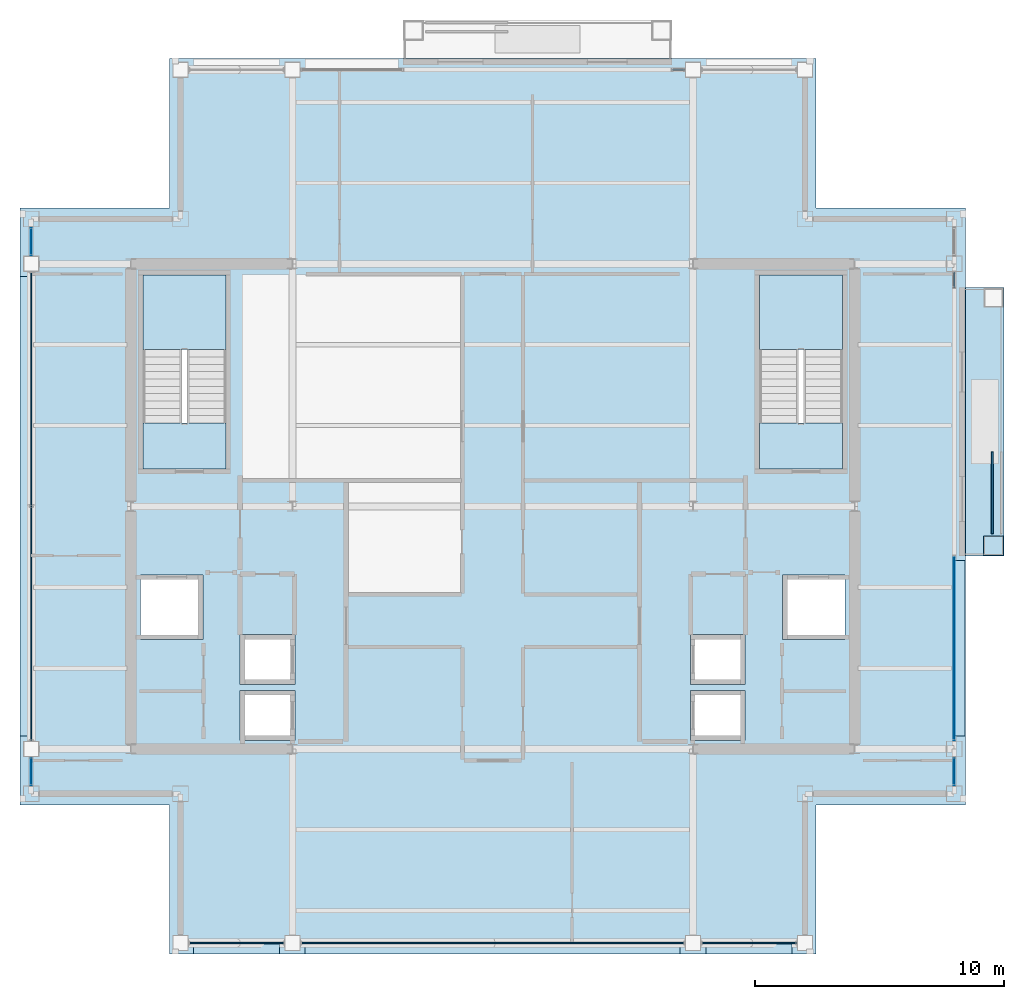
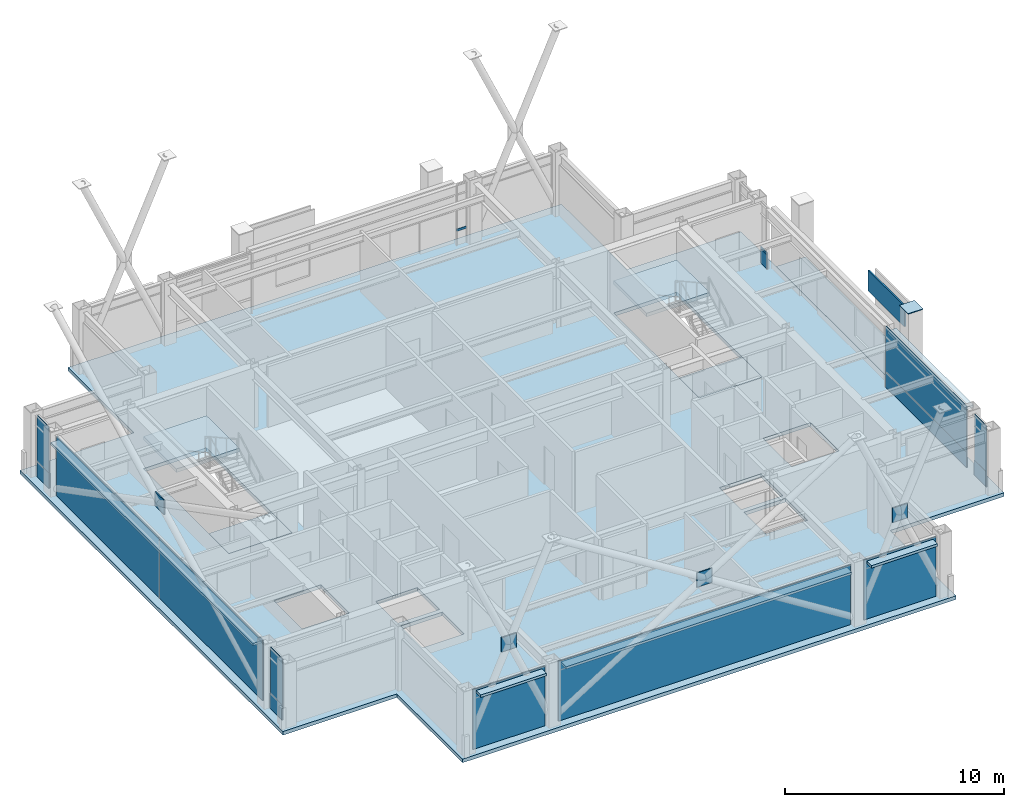
# One storey, part 21 of 28: 25 plates, 6 slabs, 2 members, 12 elements without a shape of their own.
"""IFC4 building model written with IfcOpenShell, lengths in metres."""

from ifc_helpers import new_model, si_unit, direction, frame, origin, origin_2d, place, context, subcontext, project, spatial, polyline, rectangle, hollow_rectangle, outline, extrude, material, layer, layer_set, material_profile, profile_set, type_object, element, aggregate, save


model = new_model("IFC4")

# Units and contexts
model_context = context("Model", 3, precision=1e-05, world=origin(), true_north=direction((0.0, 1.0)))
body_context = subcontext(model_context, "Body", "Model", "MODEL_VIEW")
ifc_project = project(units=[si_unit("LENGTHUNIT", "METRE"), si_unit("AREAUNIT", "SQUARE_METRE"), si_unit("VOLUMEUNIT", "CUBIC_METRE"), si_unit("PLANEANGLEUNIT", "RADIAN"), si_unit("MASSUNIT", "GRAM", prefix="KILO")], contexts=[model_context])

# Site, building, storey
site_placement = place(None, origin())
site = spatial("IfcSite", under=ifc_project, at=site_placement, CompositionType="ELEMENT")
building_placement = place(site_placement, origin())
building = spatial("IfcBuilding", under=site, at=building_placement, Name="Brelmoor Portico Tower", CompositionType="ELEMENT")
storey_placement = place(building_placement, frame((0.0, 0.0, 225.60009765625)))
storey = spatial("IfcBuildingStorey", under=building, at=storey_placement, Name="L59", CompositionType="ELEMENT", Elevation=225.60009765625)

# Curtain wall, member
ifc_material_1 = material(Name="Anodised Aluminium Alloy 6063-T6", Category="aluminium")
ifc_layer_1 = layer(ifc_material_1, 0.179931640625)
ifc_layer_set_1 = layer_set([ifc_layer_1], Name="Anodised Aluminium Alloy 6063-T6")
curtain_wall_type_1 = type_object("IfcCurtainWallType", Name="CW-TOWER-Z4", PredefinedType="NOTDEFINED", material=ifc_layer_set_1)
curtain_wall_1_placement = place(storey_placement, origin())
curtain_wall_1 = element("IfcCurtainWall", 1, at=curtain_wall_1_placement, inside=storey, type_object=curtain_wall_type_1, Name="L59 Curtain Wall CW-L59-2R-1", PredefinedType="NOTDEFINED")
ifc_material_profile = material_profile(ifc_material_1, hollow_rectangle(XDim=0.06005859375, YDim=0.125, WallThickness=0.00341796875, at=origin_2d()), Name="ALU TRANSOM 60x125")
ifc_profile_set = profile_set([ifc_material_profile], Name="Anodised Aluminium Alloy 6063-T6")
member_type = type_object("IfcMemberType", Name="MB-CW-TRAN-125", PredefinedType="USERDEFINED", material=ifc_profile_set)
member_1_placement = place(storey_placement, frame((7.199951171875, 17.550048828125, 0.849853515625), z_axis=(1.0, 0.0, 0.0), x_axis=(0.0, 1.0, 0.0)))
member_1 = element("IfcMember", 2, at=member_1_placement, type_object=member_type, Name="CW-L59-2R-1 Transom 1-00", ObjectType="TRANSOM", PredefinedType="USERDEFINED", context=body_context, shape_type="SweptSolid", body=[
    extrude(hollow_rectangle(XDim=0.06005859375, YDim=0.125, WallThickness=0.00341796875, at=origin_2d()), origin(), (0.0, 0.0, 1.0), 0.51513671875),
])
aggregate(curtain_wall_1, [member_1])

curtain_wall_2_placement = place(storey_placement, origin())
curtain_wall_2 = element("IfcCurtainWall", 3, at=curtain_wall_2_placement, inside=storey, type_object=curtain_wall_type_1, Name="L59 Curtain Wall CW-L59-4R-1", PredefinedType="NOTDEFINED")
member_2_placement = place(storey_placement, frame((18.550048828125, 8.800048828125, 0.849853515625), z_axis=(0.0, 1.0, 0.0), x_axis=(-1.0, 0.0, 0.0)))
member_2 = element("IfcMember", 4, at=member_2_placement, type_object=member_type, Name="CW-L59-4R-1 Transom 1-00", ObjectType="TRANSOM", PredefinedType="USERDEFINED", context=body_context, shape_type="SweptSolid", body=[
    extrude(hollow_rectangle(XDim=0.06005859375, YDim=0.125, WallThickness=0.00341796875, at=origin_2d()), origin(), (0.0, 0.0, 1.0), 0.614990234375),
])

# Plate
ifc_material_2 = material(Name="Steel Q355B", Category="steel")
ifc_layer_2 = layer(ifc_material_2, 0.044921875)
ifc_layer_set_2 = layer_set([ifc_layer_2], Name="Steel Q355B")
plate_type_1 = type_object("IfcPlateType", Name="PT-CAP-650", PredefinedType="SHEET", material=ifc_layer_set_2)
plate_1_placement = place(storey_placement, frame((20.1298828125, -1.580078125, 3.599853515625), z_axis=(0.0, 0.0, 1.0), x_axis=(0.0, 1.0, 0.0)))
element("IfcPlate", 5, at=plate_1_placement, inside=storey, type_object=plate_type_1, Name="L59 Proud Picture-Frame Pier PFJ-E1 Welded Head Cap Plate", PredefinedType="SHEET", context=body_context, shape_type="SweptSolid", body=[
    extrude(rectangle(XDim=0.7900390625, YDim=0.7900390625, at=origin_2d()), origin(), (0.0, 0.0, 1.0), 0.0400390625),
])

# Curtain wall, plate
curtain_wall_3_placement = place(storey_placement, origin())
curtain_wall_3 = element("IfcCurtainWall", 6, at=curtain_wall_3_placement, inside=storey, type_object=curtain_wall_type_1, Name="L59 Curtain Wall CW-L59-03-1", PredefinedType="NOTDEFINED")
ifc_material_3 = material(Name="Double-Silver Low-E Insulated Glazing", Category="glass")
ifc_layer_3 = layer(ifc_material_3, 0.035888671875)
ifc_layer_set_3 = layer_set([ifc_layer_3], Name="Double-Silver Low-E Insulated Glazing")
plate_type_2 = type_object("IfcPlateType", Name="PT-CW-GLASS", PredefinedType="CURTAIN_PANEL", material=ifc_layer_set_3)
plate_2_placement = place(storey_placement, frame((-18.550048828125, -10.64990234375, 0.85009765625), z_axis=(0.0, 0.0, 1.0), x_axis=(0.0, 1.0, 0.0)))
plate_2 = element("IfcPlate", 7, at=plate_2_placement, type_object=plate_type_2, Name="CW-L59-03-1 Vision Glass Panel 00", PredefinedType="CURTAIN_PANEL", context=body_context, shape_type="SweptSolid", body=[
    extrude(rectangle(XDim=1.10009765625, YDim=0.035888671875, at=origin_2d()), origin(), (0.0, 0.0, 1.0), 2.550048828125),
])

curtain_wall_4_placement = place(storey_placement, origin())
curtain_wall_4 = element("IfcCurtainWall", 8, at=curtain_wall_4_placement, inside=storey, type_object=curtain_wall_type_1, Name="L59 Curtain Wall CW-L59-03-3", PredefinedType="NOTDEFINED")
plate_3_placement = place(storey_placement, frame((-18.550048828125, 10.64990234375, 0.85009765625), z_axis=(0.0, 0.0, 1.0), x_axis=(0.0, 1.0, 0.0)))
plate_3 = element("IfcPlate", 9, at=plate_3_placement, type_object=plate_type_2, Name="CW-L59-03-3 Vision Glass Panel 00", PredefinedType="CURTAIN_PANEL", context=body_context, shape_type="SweptSolid", body=[
    extrude(rectangle(XDim=1.10009765625, YDim=0.035888671875, at=origin_2d()), origin(), (0.0, 0.0, 1.0), 2.550048828125),
])

curtain_wall_5_placement = place(storey_placement, origin())
curtain_wall_5 = element("IfcCurtainWall", 10, at=curtain_wall_5_placement, inside=storey, type_object=curtain_wall_type_1, Name="L59 Curtain Wall CW-L59-4L-1", PredefinedType="NOTDEFINED")
plate_4_placement = place(storey_placement, frame((18.550048828125, -10.64990234375, 0.85009765625), z_axis=(0.0, 0.0, 1.0), x_axis=(0.0, 1.0, 0.0)))
plate_4 = element("IfcPlate", 11, at=plate_4_placement, type_object=plate_type_2, Name="CW-L59-4L-1 Vision Glass Panel 00", PredefinedType="CURTAIN_PANEL", context=body_context, shape_type="SweptSolid", body=[
    extrude(rectangle(XDim=1.10009765625, YDim=0.035888671875, at=origin_2d()), origin(), (0.0, 0.0, 1.0), 2.550048828125),
])

curtain_wall_6_placement = place(storey_placement, origin())
curtain_wall_6 = element("IfcCurtainWall", 12, at=curtain_wall_6_placement, inside=storey, type_object=curtain_wall_type_1, Name="L59 Curtain Wall CW-L59-4L-2", PredefinedType="NOTDEFINED")
plate_5_placement = place(storey_placement, frame((18.550048828125, -5.70751953125, 0.85009765625), z_axis=(0.0, 0.0, 1.0), x_axis=(0.0, 1.0, 0.0)))
plate_5 = element("IfcPlate", 13, at=plate_5_placement, type_object=plate_type_2, Name="CW-L59-4L-2 Vision Glass Panel 00", PredefinedType="CURTAIN_PANEL", context=body_context, shape_type="SweptSolid", body=[
    extrude(rectangle(XDim=7.385009765625, YDim=0.035888671875, at=origin_2d()), origin(), (0.0, 0.0, 1.0), 2.550048828125),
])

ifc_layer_4 = layer(ifc_material_1, 0.179931640625)
ifc_layer_set_4 = layer_set([ifc_layer_4], Name="Anodised Aluminium Alloy 6063-T6")
curtain_wall_type_2 = type_object("IfcCurtainWallType", Name="CW-TOWER-Z4-XB", PredefinedType="NOTDEFINED", material=ifc_layer_set_4)
curtain_wall_7_placement = place(storey_placement, origin())
curtain_wall_7 = element("IfcCurtainWall", 14, at=curtain_wall_7_placement, inside=storey, type_object=curtain_wall_type_2, Name="L59 Curtain Wall CW-L59-01-1", PredefinedType="NOTDEFINED")
ifc_material_4 = material(Name="Pale Champagne Anodised Aluminium Panel", Category="aluminium")
ifc_layer_5 = layer(ifc_material_4, 0.050048828125)
ifc_layer_set_5 = layer_set([ifc_layer_5], Name="Pale Champagne Anodised Aluminium Panel")
plate_type_3 = type_object("IfcPlateType", Name="PT-CW-SPANDREL", PredefinedType="SHEET", material=ifc_layer_set_5)
plate_6_placement = place(storey_placement, frame((-10.300048828125, -17.550048828125, 0.0), z_axis=(0.0, 0.0, 1.0), x_axis=(1.0, 0.0, 0.0)))
plate_6 = element("IfcPlate", 15, at=plate_6_placement, type_object=plate_type_3, Name="CW-L59-01-1 Spandrel Panel 00", PredefinedType="SHEET", context=body_context, shape_type="SweptSolid", body=[
    extrude(rectangle(XDim=3.800048828125, YDim=0.050048828125, at=origin_2d()), origin(), (0.0, 0.0, 1.0), 3.33740234375),
])
aggregate(curtain_wall_7, [plate_6])

curtain_wall_8_placement = place(storey_placement, origin())
curtain_wall_8 = element("IfcCurtainWall", 16, at=curtain_wall_8_placement, inside=storey, type_object=curtain_wall_type_2, Name="L59 Curtain Wall CW-L59-01-2", PredefinedType="NOTDEFINED")
plate_7_placement = place(storey_placement, frame((0.0, -17.550048828125, 0.0), z_axis=(0.0, 0.0, 1.0), x_axis=(1.0, 0.0, 0.0)))
plate_7 = element("IfcPlate", 17, at=plate_7_placement, type_object=plate_type_3, Name="CW-L59-01-2 Spandrel Panel 00", PredefinedType="SHEET", context=body_context, shape_type="SweptSolid", body=[
    extrude(rectangle(XDim=15.39990234375, YDim=0.050048828125, at=origin_2d()), origin(), (0.0, 0.0, 1.0), 3.33740234375),
])
aggregate(curtain_wall_8, [plate_7])

curtain_wall_9_placement = place(storey_placement, origin())
curtain_wall_9 = element("IfcCurtainWall", 18, at=curtain_wall_9_placement, inside=storey, type_object=curtain_wall_type_2, Name="L59 Curtain Wall CW-L59-01-3", PredefinedType="NOTDEFINED")
plate_8_placement = place(storey_placement, frame((10.300048828125, -17.550048828125, 0.0), z_axis=(0.0, 0.0, 1.0), x_axis=(1.0, 0.0, 0.0)))
plate_8 = element("IfcPlate", 19, at=plate_8_placement, type_object=plate_type_3, Name="CW-L59-01-3 Spandrel Panel 00", PredefinedType="SHEET", context=body_context, shape_type="SweptSolid", body=[
    extrude(rectangle(XDim=3.800048828125, YDim=0.050048828125, at=origin_2d()), origin(), (0.0, 0.0, 1.0), 3.33740234375),
])
aggregate(curtain_wall_9, [plate_8])

# Plate
plate_9_placement = place(storey_placement, frame((-18.550048828125, -10.64990234375, -0.000244140625), z_axis=(0.0, 0.0, 1.0), x_axis=(0.0, 1.0, 0.0)))
plate_9 = element("IfcPlate", 20, at=plate_9_placement, type_object=plate_type_3, Name="CW-L59-03-1 Spandrel Panel 00", PredefinedType="SHEET", context=body_context, shape_type="SweptSolid", body=[
    extrude(rectangle(XDim=1.10009765625, YDim=0.050048828125, at=origin_2d()), origin(), (0.0, 0.0, 1.0), 0.85009765625),
])

aggregate(curtain_wall_3, [plate_9, plate_2])

# Curtain wall, plates
curtain_wall_10_placement = place(storey_placement, origin())
curtain_wall_10 = element("IfcCurtainWall", 21, at=curtain_wall_10_placement, inside=storey, type_object=curtain_wall_type_2, Name="L59 Curtain Wall CW-L59-03-2", PredefinedType="NOTDEFINED")
plate_10_placement = place(storey_placement, frame((-18.550048828125, -4.70751953125, 0.0), z_axis=(0.0, 0.0, 1.0), x_axis=(0.0, 1.0, 0.0)))
plate_10 = element("IfcPlate", 22, at=plate_10_placement, type_object=plate_type_3, Name="CW-L59-03-2 Spandrel Panel 00", PredefinedType="SHEET", context=body_context, shape_type="SweptSolid", body=[
    extrude(rectangle(XDim=9.385009765625, YDim=0.050048828125, at=origin_2d()), origin(), (0.0, 0.0, 1.0), 3.33740234375),
])
plate_11_placement = place(storey_placement, frame((-18.550048828125, 4.70751953125, 0.0), z_axis=(0.0, 0.0, 1.0), x_axis=(0.0, 1.0, 0.0)))
plate_11 = element("IfcPlate", 23, at=plate_11_placement, type_object=plate_type_3, Name="CW-L59-03-2 Spandrel Panel 01", PredefinedType="SHEET", context=body_context, shape_type="SweptSolid", body=[
    extrude(rectangle(XDim=9.385009765625, YDim=0.050048828125, at=origin_2d()), origin(), (0.0, 0.0, 1.0), 3.33740234375),
])
aggregate(curtain_wall_10, [plate_10, plate_11])

# Plate
plate_12_placement = place(storey_placement, frame((-18.550048828125, 10.64990234375, -0.000244140625), z_axis=(0.0, 0.0, 1.0), x_axis=(0.0, 1.0, 0.0)))
plate_12 = element("IfcPlate", 24, at=plate_12_placement, type_object=plate_type_3, Name="CW-L59-03-3 Spandrel Panel 00", PredefinedType="SHEET", context=body_context, shape_type="SweptSolid", body=[
    extrude(rectangle(XDim=1.10009765625, YDim=0.050048828125, at=origin_2d()), origin(), (0.0, 0.0, 1.0), 0.85009765625),
])

aggregate(curtain_wall_4, [plate_12, plate_3])

plate_13_placement = place(storey_placement, frame((18.550048828125, -10.64990234375, -0.000244140625), z_axis=(0.0, 0.0, 1.0), x_axis=(0.0, 1.0, 0.0)))
plate_13 = element("IfcPlate", 25, at=plate_13_placement, type_object=plate_type_3, Name="CW-L59-4L-1 Spandrel Panel 00", PredefinedType="SHEET", context=body_context, shape_type="SweptSolid", body=[
    extrude(rectangle(XDim=1.10009765625, YDim=0.050048828125, at=origin_2d()), origin(), (0.0, 0.0, 1.0), 0.85009765625),
])

aggregate(curtain_wall_5, [plate_13, plate_4])

plate_14_placement = place(storey_placement, frame((18.550048828125, -5.70751953125, -0.000244140625), z_axis=(0.0, 0.0, 1.0), x_axis=(0.0, 1.0, 0.0)))
plate_14 = element("IfcPlate", 26, at=plate_14_placement, type_object=plate_type_3, Name="CW-L59-4L-2 Spandrel Panel 00", PredefinedType="SHEET", context=body_context, shape_type="SweptSolid", body=[
    extrude(rectangle(XDim=7.385009765625, YDim=0.050048828125, at=origin_2d()), origin(), (0.0, 0.0, 1.0), 0.85009765625),
])

aggregate(curtain_wall_6, [plate_14, plate_5])

plate_15_placement = place(storey_placement, frame((18.550048828125, 9.107421875, -0.000244140625), z_axis=(0.0, 0.0, 1.0), x_axis=(0.0, 1.0, 0.0)))
plate_15 = element("IfcPlate", 27, at=plate_15_placement, type_object=plate_type_3, Name="CW-L59-4R-1 Spandrel Panel 00", PredefinedType="SHEET", context=body_context, shape_type="SweptSolid", body=[
    extrude(rectangle(XDim=0.5849609375, YDim=0.050048828125, at=origin_2d()), origin(), (0.0, 0.0, 1.0), 0.85009765625),
])

aggregate(curtain_wall_2, [member_2, plate_15])

# Plates
ifc_layer_6 = layer(ifc_material_2, 0.050048828125)
ifc_layer_set_6 = layer_set([ifc_layer_6], Name="Steel Q355B")
plate_type_4 = type_object("IfcPlateType", Name="PT-GUSSET-800", PredefinedType="USERDEFINED", material=ifc_layer_set_6)
for number, where, z_axis, x_axis, name in (
    (28, (-10.300048828125, -17.550048828125, 4.89990234375), (0.0, 0.0, 1.0), (1.0, 0.0, 0.0), "L59 Perimeter Mega-Brace Gusset 133"),
    (29, (0.0, -17.550048828125, 4.89990234375), (0.0, 0.0, 1.0), (1.0, 0.0, 0.0), "L59 Perimeter Mega-Brace Gusset 134"),
    (30, (10.300048828125, -17.550048828125, 4.89990234375), (0.0, 0.0, 1.0), (1.0, 0.0, 0.0), "L59 Perimeter Mega-Brace Gusset 135"),
):
    element("IfcPlate", number, at=place(storey_placement, frame(where, z_axis=z_axis, x_axis=x_axis)), inside=storey, type_object=plate_type_4, Name=name, ObjectType="GUSSET PLATE", PredefinedType="USERDEFINED", context=body_context, shape_type="SweptSolid", body=[
        extrude(rectangle(XDim=0.800048828125, YDim=0.050048828125, at=origin_2d()), origin(), (0.0, 0.0, 1.0), 0.800048828125),
    ])
plate_16_placement = place(storey_placement, frame((-18.550048828125, 0.0, 4.89990234375), z_axis=(0.0, 0.0, 1.0), x_axis=(1.0, 0.0, 0.0)))
element("IfcPlate", 31, at=plate_16_placement, inside=storey, type_object=plate_type_4, Name="L59 Perimeter Mega-Brace Gusset 138", ObjectType="GUSSET PLATE", PredefinedType="USERDEFINED", context=body_context, shape_type="SweptSolid", body=[
    extrude(rectangle(XDim=0.050048828125, YDim=0.800048828125, at=origin_2d()), origin(), (0.0, 0.0, 1.0), 0.800048828125),
])
ifc_material_5 = material(Name="Powder-Coated Aluminium Shuttered Jalousie Louvre", Category="aluminium")
ifc_layer_7 = layer(ifc_material_5, 0.06005859375)
ifc_layer_set_7 = layer_set([ifc_layer_7], Name="Powder-Coated Aluminium Shuttered Jalousie Louvre")
plate_type_5 = type_object("IfcPlateType", Name="PT-JALOUSIE-SHUTTER", PredefinedType="SHEET", material=ifc_layer_set_7)
plate_17_placement = place(storey_placement, frame((20.080078125, 0.550048828125, 2.27490234375), z_axis=(0.0, 0.0, 1.0), x_axis=(0.0, 1.0, 0.0)))
element("IfcPlate", 32, at=plate_17_placement, inside=storey, type_object=plate_type_5, Name="L59 Shuttered Veranda Screen E", PredefinedType="SHEET", context=body_context, shape_type="SweptSolid", body=[
    extrude(rectangle(XDim=3.300048828125, YDim=0.080078125, at=origin_2d()), origin(), (0.0, 0.0, 1.0), 1.14990234375),
])
ifc_material_6 = material(Name="Pale Champagne Perforated Aluminium Solar Screen", Category="aluminium")
ifc_layer_8 = layer(ifc_material_6, 0.054931640625)
ifc_layer_set_8 = layer_set([ifc_layer_8], Name="Pale Champagne Perforated Aluminium Solar Screen")
plate_type_6 = type_object("IfcPlateType", Name="PT-SOLAR-LOUVRE", PredefinedType="SHEET", material=ifc_layer_set_8)
plate_18_placement = place(storey_placement, frame((-10.300048828125, -17.760009765625, 3.08984375), z_axis=(0.0, 0.0, 1.0), x_axis=(1.0, 0.0, 0.0)))
element("IfcPlate", 33, at=plate_18_placement, inside=storey, type_object=plate_type_6, Name="CW-L59-01-1 Caribbean Brise-Soleil Solar Screen", PredefinedType="SHEET", context=body_context, shape_type="SweptSolid", body=[
    extrude(rectangle(XDim=3.469970703125, YDim=0.4599609375, at=origin_2d()), origin(), (0.0, 0.0, 1.0), 0.139892578125),
])
plate_19_placement = place(storey_placement, frame((0.0, -17.760009765625, 3.08984375), z_axis=(0.0, 0.0, 1.0), x_axis=(1.0, 0.0, 0.0)))
element("IfcPlate", 34, at=plate_19_placement, inside=storey, type_object=plate_type_6, Name="CW-L59-01-2 Caribbean Brise-Soleil Solar Screen", PredefinedType="SHEET", context=body_context, shape_type="SweptSolid", body=[
    extrude(rectangle(XDim=15.070068359375, YDim=0.4599609375, at=origin_2d()), origin(), (0.0, 0.0, 1.0), 0.139892578125),
])
plate_20_placement = place(storey_placement, frame((10.300048828125, -17.760009765625, 3.08984375), z_axis=(0.0, 0.0, 1.0), x_axis=(1.0, 0.0, 0.0)))
element("IfcPlate", 35, at=plate_20_placement, inside=storey, type_object=plate_type_6, Name="CW-L59-01-3 Caribbean Brise-Soleil Solar Screen", PredefinedType="SHEET", context=body_context, shape_type="SweptSolid", body=[
    extrude(rectangle(XDim=3.469970703125, YDim=0.4599609375, at=origin_2d()), origin(), (0.0, 0.0, 1.0), 0.139892578125),
])
plate_21_placement = place(storey_placement, frame((-18.760009765625, 0.0, 3.08984375), z_axis=(0.0, 0.0, 1.0), x_axis=(0.0, 1.0, 0.0)))
element("IfcPlate", 36, at=plate_21_placement, inside=storey, type_object=plate_type_6, Name="CW-L59-03-2 Caribbean Brise-Soleil Solar Screen", PredefinedType="SHEET", context=body_context, shape_type="SweptSolid", body=[
    extrude(rectangle(XDim=18.469970703125, YDim=0.4599609375, at=origin_2d()), origin(), (0.0, 0.0, 1.0), 0.139892578125),
])
plate_22_placement = place(storey_placement, frame((18.760009765625, -5.70751953125, 3.08984375), z_axis=(0.0, 0.0, 1.0), x_axis=(0.0, 1.0, 0.0)))
element("IfcPlate", 37, at=plate_22_placement, inside=storey, type_object=plate_type_6, Name="CW-L59-4L-2 Caribbean Brise-Soleil Solar Screen", PredefinedType="SHEET", context=body_context, shape_type="SweptSolid", body=[
    extrude(rectangle(XDim=7.054931640625, YDim=0.4599609375, at=origin_2d()), origin(), (0.0, 0.0, 1.0), 0.139892578125),
])

# Slabs
ifc_material_7 = material(Name="Concrete C40", Category="concrete")
ifc_layer_9 = layer(ifc_material_7, 0.199951171875)
ifc_layer_set_9 = layer_set([ifc_layer_9], Name="Concrete C40")
slab_type_1 = type_object("IfcSlabType", Name="SL-BALCONY-200", PredefinedType="FLOOR", material=ifc_layer_set_9)
slab_1_placement = place(storey_placement, frame((0.0, 0.0, -0.2001953125)))
element("IfcSlab", 38, at=slab_1_placement, inside=storey, type_object=slab_type_1, Name="L59 Loggia Tree Balcony Slab E", PredefinedType="FLOOR", context=body_context, shape_type="SweptSolid", body=[
    extrude(outline(polyline([(19.0, -2.0), (20.550048828125, -2.0), (20.550048828125, 8.800048828125), (19.0, 8.800048828125), (19.0, -2.0)])), origin(), (0.0, 0.0, 1.0), 0.2001953125),
])
ifc_layer_10 = layer(ifc_material_7, 0.199951171875)
ifc_layer_set_10 = layer_set([ifc_layer_10], Name="Concrete C40")
slab_type_2 = type_object("IfcSlabType", Name="SL-FLOOR-200", PredefinedType="FLOOR", material=ifc_layer_set_10)
slab_2_placement = place(storey_placement, frame((0.0, 0.0, -0.2001953125)))
element("IfcSlab", 39, at=slab_2_placement, inside=storey, type_object=slab_type_2, Name="L59 Main Structural Floor Slab", PredefinedType="FLOOR", context=body_context, shape_type="SweptSolid", body=[
    extrude(outline(polyline([(-13.0, -18.0), (13.0, -18.0), (13.0, -12.0), (19.0, -12.0), (19.0, 12.0), (13.0, 12.0), (13.0, 18.0), (-13.0, 18.0), (-13.0, 12.0), (-19.0, 12.0), (-19.0, -12.0), (-13.0, -12.0), (-13.0, -18.0)]), holes=[polyline([(-10.72998046875, 1.5), (-10.72998046875, 9.300048828125), (-14.050048828125, 9.300048828125), (-14.050048828125, 1.5), (-10.72998046875, 1.5)]), polyline([(14.050048828125, 1.5), (14.050048828125, 9.300048828125), (10.72998046875, 9.300048828125), (10.72998046875, 1.5), (14.050048828125, 1.5)]), polyline([(-10.14990234375, -9.39990234375), (-7.949951171875, -9.39990234375), (-7.949951171875, -7.39990234375), (-10.14990234375, -7.39990234375), (-10.14990234375, -9.39990234375)]), polyline([(-10.14990234375, -7.14990234375), (-7.949951171875, -7.14990234375), (-7.949951171875, -5.14990234375), (-10.14990234375, -5.14990234375), (-10.14990234375, -7.14990234375)]), polyline([(7.949951171875, -9.39990234375), (10.14990234375, -9.39990234375), (10.14990234375, -7.39990234375), (7.949951171875, -7.39990234375), (7.949951171875, -9.39990234375)]), polyline([(7.949951171875, -7.14990234375), (10.14990234375, -7.14990234375), (10.14990234375, -5.14990234375), (7.949951171875, -5.14990234375), (7.949951171875, -7.14990234375)]), polyline([(-14.14990234375, -5.35009765625), (-11.64990234375, -5.35009765625), (-11.64990234375, -2.75), (-14.14990234375, -2.75), (-14.14990234375, -5.35009765625)]), polyline([(11.64990234375, -5.35009765625), (14.14990234375, -5.35009765625), (14.14990234375, -2.75), (11.64990234375, -2.75), (11.64990234375, -5.35009765625)])]), origin(), (0.0, 0.0, 1.0), 0.2001953125),
])

# Stair, slab
stair_type_1 = type_object("IfcStairType", Name="ST-CORE-W", PredefinedType="HALF_TURN_STAIR", material=ifc_material_7)
stair_1_placement = place(storey_placement, origin())
stair_1 = element("IfcStair", 40, at=stair_1_placement, inside=storey, type_object=stair_type_1, Name="L59 Protected Core Exit Stair ST-W", PredefinedType="HALF_TURN_STAIR")
ifc_layer_11 = layer(ifc_material_7, 0.179931640625)
ifc_layer_set_11 = layer_set([ifc_layer_11], Name="Concrete C40")
slab_type_3 = type_object("IfcSlabType", Name="SL-LANDING-180", PredefinedType="LANDING", material=ifc_layer_set_11)
slab_3_placement = place(storey_placement, frame((0.0, 0.0, 1.599853515625)))
slab_3 = element("IfcSlab", 41, at=slab_3_placement, type_object=slab_type_3, Name="ST-W landing 1", PredefinedType="LANDING", context=body_context, shape_type="SweptSolid", body=[
    extrude(outline(polyline([(-10.72998046875, 6.300048828125), (-10.72998046875, 9.300048828125), (-14.050048828125, 9.300048828125), (-14.050048828125, 6.300048828125), (-10.72998046875, 6.300048828125)])), origin(), (0.0, 0.0, 1.0), 0.199951171875),
])
aggregate(stair_1, [slab_3])

stair_type_2 = type_object("IfcStairType", Name="ST-CORE-E", PredefinedType="HALF_TURN_STAIR", material=ifc_material_7)
stair_2_placement = place(storey_placement, origin())
stair_2 = element("IfcStair", 42, at=stair_2_placement, inside=storey, type_object=stair_type_2, Name="L59 Protected Core Exit Stair ST-E", PredefinedType="HALF_TURN_STAIR")
slab_4_placement = place(storey_placement, frame((0.0, 0.0, 1.599853515625)))
slab_4 = element("IfcSlab", 43, at=slab_4_placement, type_object=slab_type_3, Name="ST-E landing 1", PredefinedType="LANDING", context=body_context, shape_type="SweptSolid", body=[
    extrude(outline(polyline([(14.050048828125, 6.300048828125), (14.050048828125, 9.300048828125), (10.72998046875, 9.300048828125), (10.72998046875, 6.300048828125), (14.050048828125, 6.300048828125)])), origin(), (0.0, 0.0, 1.0), 0.199951171875),
])
aggregate(stair_2, [slab_4])

# Slabs
ifc_layer_12 = layer(ifc_material_7, 0.199951171875)
ifc_layer_set_12 = layer_set([ifc_layer_12], Name="Concrete C40")
slab_type_4 = type_object("IfcSlabType", Name="SL-STAIR-FL200", PredefinedType="LANDING", material=ifc_layer_set_12)
slab_5_placement = place(storey_placement, frame((0.0, 0.0, -0.2001953125)))
element("IfcSlab", 44, at=slab_5_placement, inside=storey, type_object=slab_type_4, Name="L59 ST-W Structural Floor Landing Slab", PredefinedType="LANDING", context=body_context, shape_type="SweptSolid", body=[
    extrude(outline(polyline([(-10.72998046875, 1.5), (-10.72998046875, 3.35009765625), (-14.050048828125, 3.35009765625), (-14.050048828125, 1.5), (-10.72998046875, 1.5)])), origin(), (0.0, 0.0, 1.0), 0.2001953125),
])
slab_6_placement = place(storey_placement, frame((0.0, 0.0, -0.2001953125)))
element("IfcSlab", 45, at=slab_6_placement, inside=storey, type_object=slab_type_4, Name="L59 ST-E Structural Floor Landing Slab", PredefinedType="LANDING", context=body_context, shape_type="SweptSolid", body=[
    extrude(outline(polyline([(14.050048828125, 1.5), (14.050048828125, 3.35009765625), (10.72998046875, 3.35009765625), (10.72998046875, 1.5), (14.050048828125, 1.5)])), origin(), (0.0, 0.0, 1.0), 0.2001953125),
])

save(model, "model.ifc")
